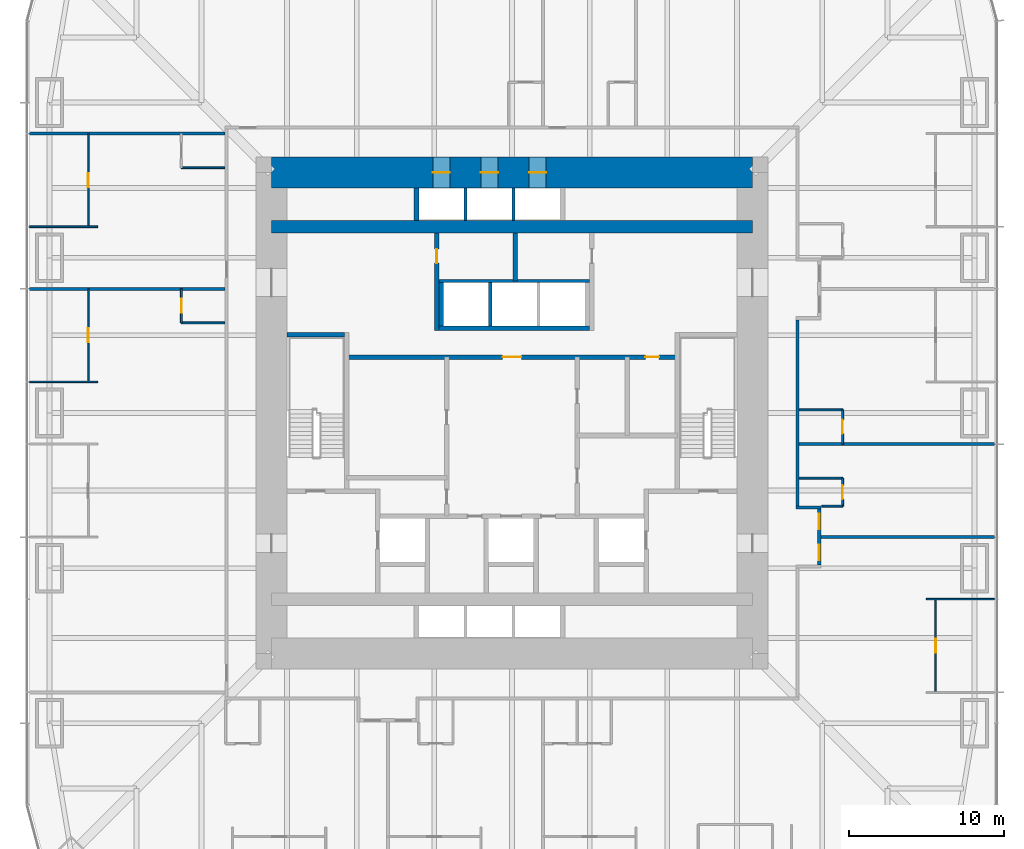
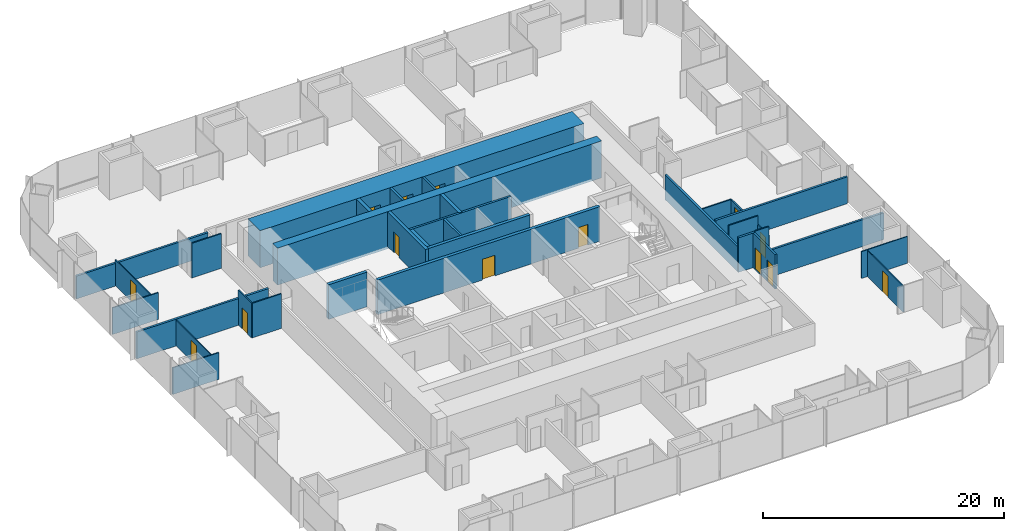
# One storey, part 14 of 17: 34 walls, 14 doors, 14 openings.
"""IFC4 building model written with IfcOpenShell, lengths in metres."""

from ifc_helpers import new_model, si_unit, direction, frame, frame_2d, origin, place, context, subcontext, project, spatial, rectangle, extrude, material, layer, layer_set, type_object, element, fill, save


model = new_model("IFC4")

# Units and contexts
model_context = context("Model", 3, precision=1e-05, world=origin(), true_north=direction((0.0, 1.0)))
body_context = subcontext(model_context, "Body", "Model", "MODEL_VIEW")
ifc_project = project(units=[si_unit("LENGTHUNIT", "METRE"), si_unit("AREAUNIT", "SQUARE_METRE"), si_unit("VOLUMEUNIT", "CUBIC_METRE"), si_unit("PLANEANGLEUNIT", "RADIAN"), si_unit("MASSUNIT", "GRAM", prefix="KILO")], contexts=[model_context])

# Site, building, storey
site_placement = place(None, origin())
site = spatial("IfcSite", under=ifc_project, at=site_placement, CompositionType="ELEMENT")
building_placement = place(site_placement, origin())
building = spatial("IfcBuilding", under=site, at=building_placement, Name="Khuree Lantern Residences", CompositionType="ELEMENT")
storey_placement = place(building_placement, frame((0.0, 0.0, 77.25)))
storey = spatial("IfcBuildingStorey", under=building, at=storey_placement, Name="L19", CompositionType="ELEMENT", Elevation=77.25)

# Wall, opening, door
ifc_material_1 = material(Name="Moisture-resistant gypsum board on steel studs", Category="steel")
ifc_layer_1 = layer(ifc_material_1, 0.125)
ifc_layer_set_1 = layer_set([ifc_layer_1], Name="BATHROOM WALL BTW125")
wall_type_1 = type_object("IfcWallType", Name="BATHROOM WALL BTW125", PredefinedType="PARTITIONING", material=ifc_layer_set_1)
wall_1_placement = place(storey_placement, frame((21.300048828125, -6.0, 0.0), z_axis=(0.0, 0.0, 1.0), x_axis=(0.0, 1.0, 0.0)))
wall_1 = element("IfcWall", 1, at=wall_1_placement, inside=storey, type_object=wall_type_1, Name="L19 BATHROOM WALL 01", PredefinedType="PARTITIONING", context=body_context, shape_type="SweptSolid", body=[
    extrude(rectangle(XDim=1.800048828125, YDim=0.125, at=frame_2d((0.89990234375, 0.0))), origin(), (0.0, 0.0, 1.0), 2.610107421875),
])
opening_1_placement = place(wall_1_placement, frame((0.449951171875, 0.0, 0.0)))
opening_1 = element("IfcOpeningElement", 2, at=opening_1_placement, cuts=wall_1, Name="Opening 19-023", PredefinedType="OPENING", context=body_context, shape_type="SweptSolid", body=[
    extrude(rectangle(XDim=0.89990234375, YDim=2.10009765625, at=frame_2d((0.449951171875, 1.050048828125))), frame((0.0, 0.072509765625, 0.0), z_axis=(0.0, -1.0, 0.0), x_axis=(1.0, 0.0, 0.0)), (0.0, 0.0, 1.0), 0.14501953125),
])
ifc_material_2 = material(Name="Timber door leaf in hardwood frame", Category="wood")
door_type_1 = type_object("IfcDoorType", Name="BATHROOM DOOR 900X2100", OperationType="SINGLE_SWING_LEFT", PredefinedType="DOOR", material=ifc_material_2)
door_1_placement = place(opening_1_placement, origin())
door_1 = element("IfcDoor", 3, at=door_1_placement, inside=storey, type_object=door_type_1, Name="Bathroom door 19-023", OperationType="SINGLE_SWING_LEFT", OverallHeight=2.10009765625, OverallWidth=0.89990234375, PredefinedType="DOOR", context=body_context, shape_type="SweptSolid", body=[
    extrude(rectangle(XDim=0.89990234375, YDim=2.10009765625, at=frame_2d((0.449951171875, 1.050048828125))), frame((0.0, 0.02490234375, 0.0), z_axis=(0.0, -1.0, 0.0), x_axis=(1.0, 0.0, 0.0)), (0.0, 0.0, 1.0), 0.050048828125),
])
fill(opening_1, door_1)

# Walls
wall_2_placement = place(storey_placement, frame((19.969970703125, -6.0, 0.0), z_axis=(0.0, 0.0, 1.0), x_axis=(1.0, 0.0, 0.0)))
element("IfcWall", 4, at=wall_2_placement, inside=storey, type_object=wall_type_1, Name="L19 BATHROOM WALL 01", PredefinedType="PARTITIONING", context=body_context, shape_type="SweptSolid", body=[
    extrude(rectangle(XDim=1.330078125, YDim=0.125, at=frame_2d((0.6650390625, 0.0))), origin(), (0.0, 0.0, 1.0), 3.5),
])
wall_3_placement = place(storey_placement, frame((18.5, -4.199951171875, 0.0), z_axis=(0.0, 0.0, 1.0), x_axis=(1.0, 0.0, 0.0)))
element("IfcWall", 5, at=wall_3_placement, inside=storey, type_object=wall_type_1, Name="L19 BATHROOM WALL 01", PredefinedType="PARTITIONING", context=body_context, shape_type="SweptSolid", body=[
    extrude(rectangle(XDim=2.800048828125, YDim=0.125, at=frame_2d((1.39990234375, 0.0))), origin(), (0.0, 0.0, 1.0), 3.5),
])

# Wall, opening, door
wall_4_placement = place(storey_placement, frame((21.300048828125, -2.0, 0.0), z_axis=(0.0, 0.0, 1.0), x_axis=(0.0, 1.0, 0.0)))
wall_4 = element("IfcWall", 6, at=wall_4_placement, inside=storey, type_object=wall_type_1, Name="L19 BATHROOM WALL 02", PredefinedType="PARTITIONING", context=body_context, shape_type="SweptSolid", body=[
    extrude(rectangle(XDim=2.199951171875, YDim=0.125, at=frame_2d((1.10009765625, 0.0))), origin(), (0.0, 0.0, 1.0), 2.491943359375),
])
opening_2_placement = place(wall_4_placement, frame((0.64990234375, 0.0, 0.0)))
opening_2 = element("IfcOpeningElement", 7, at=opening_2_placement, cuts=wall_4, Name="Opening 19-026", PredefinedType="OPENING", context=body_context, shape_type="SweptSolid", body=[
    extrude(rectangle(XDim=0.89990234375, YDim=2.10009765625, at=frame_2d((0.449951171875, 1.050048828125))), frame((0.0, 0.072509765625, 0.0), z_axis=(0.0, -1.0, 0.0), x_axis=(1.0, 0.0, 0.0)), (0.0, 0.0, 1.0), 0.14501953125),
])
door_2_placement = place(opening_2_placement, origin())
door_2 = element("IfcDoor", 8, at=door_2_placement, inside=storey, type_object=door_type_1, Name="Bathroom door 19-026", OperationType="SINGLE_SWING_LEFT", OverallHeight=2.10009765625, OverallWidth=0.89990234375, PredefinedType="DOOR", context=body_context, shape_type="SweptSolid", body=[
    extrude(rectangle(XDim=0.89990234375, YDim=2.10009765625, at=frame_2d((0.449951171875, 1.050048828125))), frame((0.0, 0.02490234375, 0.0), z_axis=(0.0, -1.0, 0.0), x_axis=(1.0, 0.0, 0.0)), (0.0, 0.0, 1.0), 0.050048828125),
])
fill(opening_2, door_2)

# Walls
wall_5_placement = place(storey_placement, frame((18.5, 0.199951171875, 0.0), z_axis=(0.0, 0.0, 1.0), x_axis=(1.0, 0.0, 0.0)))
element("IfcWall", 9, at=wall_5_placement, inside=storey, type_object=wall_type_1, Name="L19 BATHROOM WALL 02", PredefinedType="PARTITIONING", context=body_context, shape_type="SweptSolid", body=[
    extrude(rectangle(XDim=2.800048828125, YDim=0.125, at=frame_2d((1.39990234375, 0.0))), origin(), (0.0, 0.0, 1.0), 2.491943359375),
])
wall_6_placement = place(storey_placement, frame((-18.5, 15.800048828125, 0.0), z_axis=(0.0, 0.0, 1.0), x_axis=(-1.0, 0.0, 0.0)))
element("IfcWall", 10, at=wall_6_placement, inside=storey, type_object=wall_type_1, Name="L19 BATHROOM WALL 06", PredefinedType="PARTITIONING", context=body_context, shape_type="SweptSolid", body=[
    extrude(rectangle(XDim=2.800048828125, YDim=0.125, at=frame_2d((1.39990234375, 0.0))), origin(), (0.0, 0.0, 1.0), 3.5),
])

# Wall, opening, door
wall_7_placement = place(storey_placement, frame((-21.300048828125, 8.0, 0.0), z_axis=(0.0, 0.0, 1.0), x_axis=(0.0, -1.0, 0.0)))
wall_7 = element("IfcWall", 11, at=wall_7_placement, inside=storey, type_object=wall_type_1, Name="L19 BATHROOM WALL 07", PredefinedType="PARTITIONING", context=body_context, shape_type="SweptSolid", body=[
    extrude(rectangle(XDim=2.199951171875, YDim=0.125, at=frame_2d((1.10009765625, 0.0))), origin(), (0.0, 0.0, 1.0), 3.5),
])
opening_3_placement = place(wall_7_placement, frame((0.64990234375, 0.0, 0.0)))
opening_3 = element("IfcOpeningElement", 12, at=opening_3_placement, cuts=wall_7, Name="Opening 19-043", PredefinedType="OPENING", context=body_context, shape_type="SweptSolid", body=[
    extrude(rectangle(XDim=0.89990234375, YDim=2.10009765625, at=frame_2d((0.449951171875, 1.050048828125))), frame((0.0, 0.072509765625, 0.0), z_axis=(0.0, -1.0, 0.0), x_axis=(1.0, 0.0, 0.0)), (0.0, 0.0, 1.0), 0.14501953125),
])
door_3_placement = place(opening_3_placement, origin())
door_3 = element("IfcDoor", 13, at=door_3_placement, inside=storey, type_object=door_type_1, Name="Bathroom door 19-043", OperationType="SINGLE_SWING_LEFT", OverallHeight=2.10009765625, OverallWidth=0.89990234375, PredefinedType="DOOR", context=body_context, shape_type="SweptSolid", body=[
    extrude(rectangle(XDim=0.89990234375, YDim=2.10009765625, at=frame_2d((0.449951171875, 1.050048828125))), frame((0.0, 0.02490234375, 0.0), z_axis=(0.0, -1.0, 0.0), x_axis=(1.0, 0.0, 0.0)), (0.0, 0.0, 1.0), 0.050048828125),
])
fill(opening_3, door_3)

# Walls
wall_8_placement = place(storey_placement, frame((-18.5, 5.800048828125, 0.0), z_axis=(0.0, 0.0, 1.0), x_axis=(-1.0, 0.0, 0.0)))
element("IfcWall", 14, at=wall_8_placement, inside=storey, type_object=wall_type_1, Name="L19 BATHROOM WALL 07", PredefinedType="PARTITIONING", context=body_context, shape_type="SweptSolid", body=[
    extrude(rectangle(XDim=2.800048828125, YDim=0.125, at=frame_2d((1.39990234375, 0.0))), origin(), (0.0, 0.0, 1.0), 3.5),
])
ifc_material_3 = material(Name="Dense concrete blockwork", Category="masonry")
ifc_layer_2 = layer(ifc_material_3, 0.300048828125)
ifc_layer_set_2 = layer_set([ifc_layer_2], Name="CORE PARTITION WALL CPW300 EI 120")
wall_type_2 = type_object("IfcWallType", Name="CORE PARTITION WALL CPW300 EI 120", PredefinedType="PARTITIONING", material=ifc_layer_set_2)
wall_9_placement = place(storey_placement, frame((-4.699951171875, 5.449951171875, 0.0), z_axis=(0.0, 0.0, 1.0), x_axis=(1.0, 0.0, 0.0)))
element("IfcWall", 15, at=wall_9_placement, inside=storey, type_object=wall_type_2, Name="L19 CORE WALL PHS", PredefinedType="PARTITIONING", context=body_context, shape_type="SweptSolid", body=[
    extrude(rectangle(XDim=9.699951171875, YDim=0.300048828125, at=frame_2d((4.85009765625, 0.0))), origin(), (0.0, 0.0, 1.0), 3.5),
])
wall_10_placement = place(storey_placement, frame((-4.550048828125, 5.60009765625, 0.0), z_axis=(0.0, 0.0, 1.0), x_axis=(0.0, 1.0, 0.0)))
element("IfcWall", 16, at=wall_10_placement, inside=storey, type_object=wall_type_2, Name="L19 CORE WALL PHW", PredefinedType="PARTITIONING", context=body_context, shape_type="SweptSolid", body=[
    extrude(rectangle(XDim=2.7998046875, YDim=0.300048828125, at=frame_2d((1.39990234375, 0.0))), origin(), (0.0, 0.0, 1.0), 3.5),
])
wall_11_placement = place(storey_placement, frame((-6.14990234375, 12.39990234375, 0.0), z_axis=(0.0, 0.0, 1.0), x_axis=(0.0, 1.0, 0.0)))
element("IfcWall", 17, at=wall_11_placement, inside=storey, type_object=wall_type_2, Name="L19 CORE WALL PLW", PredefinedType="PARTITIONING", context=body_context, shape_type="SweptSolid", body=[
    extrude(rectangle(XDim=2.10009765625, YDim=0.300048828125, at=frame_2d((1.050048828125, 0.0))), origin(), (0.0, 0.0, 1.0), 3.5),
])

# Wall, openings, doors
wall_12_placement = place(storey_placement, frame((-10.64990234375, 3.60009765625, 0.0), z_axis=(0.0, 0.0, 1.0), x_axis=(1.0, 0.0, 0.0)))
wall_12 = element("IfcWall", 18, at=wall_12_placement, inside=storey, type_object=wall_type_2, Name="L19 CORE WALL LLS", PredefinedType="PARTITIONING", context=body_context, shape_type="SweptSolid", body=[
    extrude(rectangle(XDim=21.2998046875, YDim=0.300048828125, at=frame_2d((10.64990234375, 0.0))), origin(), (0.0, 0.0, 1.0), 3.5),
])
opening_4_placement = place(wall_12_placement, frame((10.050048828125, 0.0, 0.0)))
opening_4 = element("IfcOpeningElement", 19, at=opening_4_placement, cuts=wall_12, Name="Opening 19-013", PredefinedType="OPENING", context=body_context, shape_type="SweptSolid", body=[
    extrude(rectangle(XDim=1.199951171875, YDim=2.10009765625, at=frame_2d((0.60009765625, 1.050048828125))), frame((0.0, 0.16015625, 0.0), z_axis=(0.0, -1.0, 0.0), x_axis=(1.0, 0.0, 0.0)), (0.0, 0.0, 1.0), 0.320068359375),
])
opening_5_placement = place(wall_12_placement, frame((19.238037109375, 0.0, 0.0)))
opening_5 = element("IfcOpeningElement", 20, at=opening_5_placement, cuts=wall_12, Name="Opening 19-020", PredefinedType="OPENING", context=body_context, shape_type="SweptSolid", body=[
    extrude(rectangle(XDim=0.89990234375, YDim=2.10009765625, at=frame_2d((0.449951171875, 1.050048828125))), frame((0.0, 0.16015625, 0.0), z_axis=(0.0, -1.0, 0.0), x_axis=(1.0, 0.0, 0.0)), (0.0, 0.0, 1.0), 0.320068359375),
])
ifc_material_4 = material(Name="Steel door leaf in steel frame", Category="steel")
door_type_2 = type_object("IfcDoorType", Name="DOOR 1200X2100 EI 60", OperationType="SINGLE_SWING_LEFT", PredefinedType="DOOR", material=ifc_material_4)
door_4_placement = place(opening_4_placement, origin())
door_4 = element("IfcDoor", 21, at=door_4_placement, inside=storey, type_object=door_type_2, Name="Service lift lobby door 19-013", OperationType="SINGLE_SWING_LEFT", OverallHeight=2.10009765625, OverallWidth=1.199951171875, PredefinedType="DOOR", context=body_context, shape_type="SweptSolid", body=[
    extrude(rectangle(XDim=1.199951171875, YDim=2.10009765625, at=frame_2d((0.60009765625, 1.050048828125))), frame((0.0, 0.02490234375, 0.0), z_axis=(0.0, -1.0, 0.0), x_axis=(1.0, 0.0, 0.0)), (0.0, 0.0, 1.0), 0.050048828125),
])
fill(opening_4, door_4)
door_type_3 = type_object("IfcDoorType", Name="DOOR 900X2100 RIGHT HAND", OperationType="SINGLE_SWING_RIGHT", PredefinedType="DOOR", material=ifc_material_2)
door_5_placement = place(opening_5_placement, origin())
door_5 = element("IfcDoor", 22, at=door_5_placement, inside=storey, type_object=door_type_3, Name="Refuse holding room door 19-020", OperationType="SINGLE_SWING_RIGHT", OverallHeight=2.10009765625, OverallWidth=0.89990234375, PredefinedType="DOOR", context=body_context, shape_type="SweptSolid", body=[
    extrude(rectangle(XDim=0.89990234375, YDim=2.10009765625, at=frame_2d((0.449951171875, 1.050048828125))), frame((0.0, 0.02490234375, 0.0), z_axis=(0.0, -1.0, 0.0), x_axis=(1.0, 0.0, 0.0)), (0.0, 0.0, 1.0), 0.050048828125),
])
fill(opening_5, door_5)

# Wall, opening, door
wall_13_placement = place(storey_placement, frame((-4.85009765625, 5.300048828125, 0.0), z_axis=(0.0, 0.0, 1.0), x_axis=(0.0, 1.0, 0.0)))
wall_13 = element("IfcWall", 23, at=wall_13_placement, inside=storey, type_object=wall_type_2, Name="L19 CORE WALL NW", PredefinedType="PARTITIONING", context=body_context, shape_type="SweptSolid", body=[
    extrude(rectangle(XDim=6.300048828125, YDim=0.300048828125, at=frame_2d((3.14990234375, 0.0))), origin(), (0.0, 0.0, 1.0), 3.5),
])
opening_6_placement = place(wall_13_placement, frame((4.35009765625, 0.0, 0.0)))
opening_6 = element("IfcOpeningElement", 24, at=opening_6_placement, cuts=wall_13, Name="Opening 19-021", PredefinedType="OPENING", context=body_context, shape_type="SweptSolid", body=[
    extrude(rectangle(XDim=0.89990234375, YDim=2.10009765625, at=frame_2d((0.449951171875, 1.050048828125))), frame((0.0, 0.16015625, 0.0), z_axis=(0.0, -1.0, 0.0), x_axis=(1.0, 0.0, 0.0)), (0.0, 0.0, 1.0), 0.320068359375),
])
door_6_placement = place(opening_6_placement, origin())
door_6 = element("IfcDoor", 25, at=door_6_placement, inside=storey, type_object=door_type_3, Name="Housekeeping store door 19-021", OperationType="SINGLE_SWING_RIGHT", OverallHeight=2.10009765625, OverallWidth=0.89990234375, PredefinedType="DOOR", context=body_context, shape_type="SweptSolid", body=[
    extrude(rectangle(XDim=0.89990234375, YDim=2.10009765625, at=frame_2d((0.449951171875, 1.050048828125))), frame((0.0, 0.02490234375, 0.0), z_axis=(0.0, -1.0, 0.0), x_axis=(1.0, 0.0, 0.0)), (0.0, 0.0, 1.0), 0.050048828125),
])
fill(opening_6, door_6)

# Walls
wall_14_placement = place(storey_placement, frame((0.199951171875, 8.5, 0.0), z_axis=(0.0, 0.0, 1.0), x_axis=(0.0, 1.0, 0.0)))
element("IfcWall", 26, at=wall_14_placement, inside=storey, type_object=wall_type_2, Name="L19 CORE WALL NX", PredefinedType="PARTITIONING", context=body_context, shape_type="SweptSolid", body=[
    extrude(rectangle(XDim=3.10009765625, YDim=0.300048828125, at=frame_2d((1.550048828125, 0.0))), origin(), (0.0, 0.0, 1.0), 3.5),
])
ifc_material_5 = material(Name="Gypsum board on steel studs", Category="steel")
ifc_layer_3 = layer(ifc_material_5, 0.199951171875)
ifc_layer_set_3 = layer_set([ifc_layer_3], Name="CORRIDOR WALL CRW200 EI 60")
wall_type_3 = type_object("IfcWallType", Name="CORRIDOR WALL CRW200 EI 60", PredefinedType="PARTITIONING", material=ifc_layer_set_3)
wall_15_placement = place(storey_placement, frame((18.300048828125, -6.10009765625, 0.0), z_axis=(0.0, 0.0, 1.0), x_axis=(1.0, 0.0, 0.0)))
element("IfcWall", 27, at=wall_15_placement, inside=storey, type_object=wall_type_3, Name="L19 CORRIDOR ALCOVE WALL EAST", PredefinedType="PARTITIONING", context=body_context, shape_type="SweptSolid", body=[
    extrude(rectangle(XDim=1.599853515625, YDim=0.199951171875, at=frame_2d((0.7998046875, 0.0))), origin(), (0.0, 0.0, 1.0), 3.5),
])

# Wall, openings, doors
wall_16_placement = place(storey_placement, frame((19.800048828125, -9.800048828125, 0.0), z_axis=(0.0, 0.0, 1.0), x_axis=(0.0, 1.0, 0.0)))
wall_16 = element("IfcWall", 28, at=wall_16_placement, inside=storey, type_object=wall_type_3, Name="L19 CORRIDOR ALCOVE WALL EAST", PredefinedType="PARTITIONING", context=body_context, shape_type="SweptSolid", body=[
    extrude(rectangle(XDim=3.60009765625, YDim=0.199951171875, at=frame_2d((1.800048828125, 0.0))), origin(), (0.0, 0.0, 1.0), 3.5),
])
opening_7_placement = place(wall_16_placement, frame((2.300048828125, 0.0, 0.0)))
opening_7 = element("IfcOpeningElement", 29, at=opening_7_placement, cuts=wall_16, Name="Opening 19-024", PredefinedType="OPENING", context=body_context, shape_type="SweptSolid", body=[
    extrude(rectangle(XDim=1.0, YDim=2.199951171875, at=frame_2d((0.5, 1.10009765625))), frame((0.0, 0.10986328125, 0.0), z_axis=(0.0, -1.0, 0.0), x_axis=(1.0, 0.0, 0.0)), (0.0, 0.0, 1.0), 0.219970703125),
])
opening_8_placement = place(wall_16_placement, frame((0.300048828125, 0.0, 0.0)))
opening_8 = element("IfcOpeningElement", 30, at=opening_8_placement, cuts=wall_16, Name="Opening 19-057", PredefinedType="OPENING", context=body_context, shape_type="SweptSolid", body=[
    extrude(rectangle(XDim=1.0, YDim=2.199951171875, at=frame_2d((0.5, 1.10009765625))), frame((0.0, 0.10986328125, 0.0), z_axis=(0.0, -1.0, 0.0), x_axis=(1.0, 0.0, 0.0)), (0.0, 0.0, 1.0), 0.219970703125),
])
door_type_4 = type_object("IfcDoorType", Name="APARTMENT ENTRANCE DOOR 1000X2200 EI 30S", OperationType="SINGLE_SWING_LEFT", PredefinedType="DOOR", material=ifc_material_2)
door_7_placement = place(opening_8_placement, origin())
door_7 = element("IfcDoor", 31, at=door_7_placement, inside=storey, type_object=door_type_4, Name="Apartment 10 entrance door 19-057", OperationType="SINGLE_SWING_LEFT", OverallHeight=2.199951171875, OverallWidth=1.0, PredefinedType="DOOR", context=body_context, shape_type="SweptSolid", body=[
    extrude(rectangle(XDim=1.0, YDim=2.199951171875, at=frame_2d((0.5, 1.10009765625))), frame((0.0, 0.02490234375, 0.0), z_axis=(0.0, -1.0, 0.0), x_axis=(1.0, 0.0, 0.0)), (0.0, 0.0, 1.0), 0.050048828125),
])
fill(opening_8, door_7)
door_type_5 = type_object("IfcDoorType", Name="APARTMENT ENTRANCE DOOR 1000X2200 EI 30S RIGHT HAND", OperationType="SINGLE_SWING_RIGHT", PredefinedType="DOOR", material=ifc_material_2)
door_8_placement = place(opening_7_placement, origin())
door_8 = element("IfcDoor", 32, at=door_8_placement, inside=storey, type_object=door_type_5, Name="Apartment 01 entrance door 19-024", OperationType="SINGLE_SWING_RIGHT", OverallHeight=2.199951171875, OverallWidth=1.0, PredefinedType="DOOR", context=body_context, shape_type="SweptSolid", body=[
    extrude(rectangle(XDim=1.0, YDim=2.199951171875, at=frame_2d((0.5, 1.10009765625))), frame((0.0, 0.02490234375, 0.0), z_axis=(0.0, -1.0, 0.0), x_axis=(1.0, 0.0, 0.0)), (0.0, 0.0, 1.0), 0.050048828125),
])
fill(opening_7, door_8)

# Wall
wall_17_placement = place(storey_placement, frame((18.39990234375, -6.0, 0.0), z_axis=(0.0, 0.0, 1.0), x_axis=(0.0, 1.0, 0.0)))
element("IfcWall", 33, at=wall_17_placement, inside=storey, type_object=wall_type_3, Name="L19 CORRIDOR WALL EAST 2", PredefinedType="PARTITIONING", context=body_context, shape_type="SweptSolid", body=[
    extrude(rectangle(XDim=12.0, YDim=0.199951171875, at=frame_2d((6.0, 0.0))), origin(), (0.0, 0.0, 1.0), 2.491943359375),
])

# Wall, openings, doors
ifc_material_6 = material(Name="Concrete C70/85", Category="concrete")
ifc_layer_4 = layer(ifc_material_6, 2.0)
ifc_layer_set_4 = layer_set([ifc_layer_4], Name="CW2000-C70 CORE WALL C70 2000")
wall_type_4 = type_object("IfcWallType", Name="CW2000-C70 CORE WALL C70 2000", PredefinedType="SHEAR", material=ifc_layer_set_4)
wall_18_placement = place(storey_placement, frame((-15.5, 15.5, -0.25), z_axis=(0.0, 0.0, 1.0), x_axis=(1.0, 0.0, 0.0)))
wall_18 = element("IfcWall", 34, at=wall_18_placement, inside=storey, type_object=wall_type_4, Name="Core wall N", PredefinedType="SHEAR", context=body_context, shape_type="SweptSolid", body=[
    extrude(rectangle(XDim=31.0, YDim=2.0, at=frame_2d((15.5, 0.0))), origin(), (0.0, 0.0, 1.0), 3.75),
])
opening_9_placement = place(wall_18_placement, frame((10.39990234375, 0.0, 0.25)))
opening_9 = element("IfcOpeningElement", 35, at=opening_9_placement, cuts=wall_18, Name="Opening 19-009", PredefinedType="OPENING", context=body_context, shape_type="SweptSolid", body=[
    extrude(rectangle(XDim=1.10009765625, YDim=2.10009765625, at=frame_2d((0.550048828125, 1.050048828125))), frame((0.0, 1.010009765625, 0.0), z_axis=(0.0, -1.0, 0.0), x_axis=(1.0, 0.0, 0.0)), (0.0, 0.0, 1.0), 2.02001953125),
])
opening_10_placement = place(wall_18_placement, frame((13.5, 0.0, 0.25)))
opening_10 = element("IfcOpeningElement", 36, at=opening_10_placement, cuts=wall_18, Name="Opening 19-010", PredefinedType="OPENING", context=body_context, shape_type="SweptSolid", body=[
    extrude(rectangle(XDim=1.10009765625, YDim=2.10009765625, at=frame_2d((0.550048828125, 1.050048828125))), frame((0.0, 1.010009765625, 0.0), z_axis=(0.0, -1.0, 0.0), x_axis=(1.0, 0.0, 0.0)), (0.0, 0.0, 1.0), 2.02001953125),
])
opening_11_placement = place(wall_18_placement, frame((16.60009765625, 0.0, 0.25)))
opening_11 = element("IfcOpeningElement", 37, at=opening_11_placement, cuts=wall_18, Name="Opening 19-011", PredefinedType="OPENING", context=body_context, shape_type="SweptSolid", body=[
    extrude(rectangle(XDim=1.10009765625, YDim=2.10009765625, at=frame_2d((0.550048828125, 1.050048828125))), frame((0.0, 1.010009765625, 0.0), z_axis=(0.0, -1.0, 0.0), x_axis=(1.0, 0.0, 0.0)), (0.0, 0.0, 1.0), 2.02001953125),
])
ifc_material_7 = material(Name="Stainless steel lift landing door", Category="steel")
door_type_6 = type_object("IfcDoorType", Name="LIFT LANDING DOOR 1100X2100 E 60", OperationType="DOUBLE_DOOR_SLIDING", PredefinedType="DOOR", material=ifc_material_7)
door_9_placement = place(opening_9_placement, origin())
door_9 = element("IfcDoor", 38, at=door_9_placement, inside=storey, type_object=door_type_6, Name="Landing door PL1 19-009", OperationType="DOUBLE_DOOR_SLIDING", OverallHeight=2.10009765625, OverallWidth=1.10009765625, PredefinedType="DOOR", context=body_context, shape_type="SweptSolid", body=[
    extrude(rectangle(XDim=1.10009765625, YDim=2.10009765625, at=frame_2d((0.550048828125, 1.050048828125))), frame((0.0, 0.02490234375, 0.0), z_axis=(0.0, -1.0, 0.0), x_axis=(1.0, 0.0, 0.0)), (0.0, 0.0, 1.0), 0.050048828125),
])
fill(opening_9, door_9)
door_10_placement = place(opening_10_placement, origin())
door_10 = element("IfcDoor", 39, at=door_10_placement, inside=storey, type_object=door_type_6, Name="Landing door PL2 19-010", OperationType="DOUBLE_DOOR_SLIDING", OverallHeight=2.10009765625, OverallWidth=1.10009765625, PredefinedType="DOOR", context=body_context, shape_type="SweptSolid", body=[
    extrude(rectangle(XDim=1.10009765625, YDim=2.10009765625, at=frame_2d((0.550048828125, 1.050048828125))), frame((0.0, 0.02490234375, 0.0), z_axis=(0.0, -1.0, 0.0), x_axis=(1.0, 0.0, 0.0)), (0.0, 0.0, 1.0), 0.050048828125),
])
fill(opening_10, door_10)
door_11_placement = place(opening_11_placement, origin())
door_11 = element("IfcDoor", 40, at=door_11_placement, inside=storey, type_object=door_type_6, Name="Landing door PL3 19-011", OperationType="DOUBLE_DOOR_SLIDING", OverallHeight=2.10009765625, OverallWidth=1.10009765625, PredefinedType="DOOR", context=body_context, shape_type="SweptSolid", body=[
    extrude(rectangle(XDim=1.10009765625, YDim=2.10009765625, at=frame_2d((0.550048828125, 1.050048828125))), frame((0.0, 0.02490234375, 0.0), z_axis=(0.0, -1.0, 0.0), x_axis=(1.0, 0.0, 0.0)), (0.0, 0.0, 1.0), 0.050048828125),
])
fill(opening_11, door_11)

# Walls
ifc_layer_5 = layer(ifc_material_5, 0.199951171875)
ifc_layer_set_5 = layer_set([ifc_layer_5], Name="DEMISING WALL DMW200 EI 90")
wall_type_5 = type_object("IfcWallType", Name="DEMISING WALL DMW200 EI 90", PredefinedType="PARTITIONING", material=ifc_layer_set_5)
wall_19_placement = place(storey_placement, frame((19.89990234375, -8.0, 0.0), z_axis=(0.0, 0.0, 1.0), x_axis=(1.0, 0.0, 0.0)))
element("IfcWall", 41, at=wall_19_placement, inside=storey, type_object=wall_type_5, Name="L19 DEMISING WALL 01", PredefinedType="PARTITIONING", context=body_context, shape_type="SweptSolid", body=[
    extrude(rectangle(XDim=11.2001953125, YDim=0.199951171875, at=frame_2d((5.60009765625, 0.0))), origin(), (0.0, 0.0, 1.0), 2.7099609375),
])
wall_20_placement = place(storey_placement, frame((18.5, -2.0, 0.0), z_axis=(0.0, 0.0, 1.0), x_axis=(1.0, 0.0, 0.0)))
element("IfcWall", 42, at=wall_20_placement, inside=storey, type_object=wall_type_5, Name="L19 DEMISING WALL 02", PredefinedType="PARTITIONING", context=body_context, shape_type="SweptSolid", body=[
    extrude(rectangle(XDim=12.60009765625, YDim=0.199951171875, at=frame_2d((6.300048828125, 0.0))), origin(), (0.0, 0.0, 1.0), 2.7099609375),
])
wall_21_placement = place(storey_placement, frame((-18.5, 18.0, 0.0), z_axis=(0.0, 0.0, 1.0), x_axis=(-1.0, 0.0, 0.0)))
element("IfcWall", 43, at=wall_21_placement, inside=storey, type_object=wall_type_5, Name="L19 DEMISING WALL 06", PredefinedType="PARTITIONING", context=body_context, shape_type="SweptSolid", body=[
    extrude(rectangle(XDim=12.60009765625, YDim=0.199951171875, at=frame_2d((6.300048828125, 0.0))), origin(), (0.0, 0.0, 1.0), 2.300048828125),
])
wall_22_placement = place(storey_placement, frame((-18.5, 8.0, 0.0), z_axis=(0.0, 0.0, 1.0), x_axis=(-1.0, 0.0, 0.0)))
element("IfcWall", 44, at=wall_22_placement, inside=storey, type_object=wall_type_5, Name="L19 DEMISING WALL 07", PredefinedType="PARTITIONING", context=body_context, shape_type="SweptSolid", body=[
    extrude(rectangle(XDim=12.60009765625, YDim=0.199951171875, at=frame_2d((6.300048828125, 0.0))), origin(), (0.0, 0.0, 1.0), 2.7099609375),
])
ifc_layer_6 = layer(ifc_material_5, 0.10009765625)
ifc_layer_set_6 = layer_set([ifc_layer_6], Name="PARTITION PT100")
wall_type_6 = type_object("IfcWallType", Name="PARTITION PT100", PredefinedType="PARTITIONING", material=ifc_layer_set_6)
for number, where, z_axis, x_axis, name in (
    (45, (-26.699951171875, 12.0, 0.0), (0.0, 0.0, 1.0), (-1.0, 0.0, 0.0), "L19 PARTITION 06"),
    (46, (-26.699951171875, 2.0, 0.0), (0.0, 0.0, 1.0), (-1.0, 0.0, 0.0), "L19 PARTITION 07"),
    (47, (26.699951171875, -12.0, 0.0), (0.0, 0.0, 1.0), (1.0, 0.0, 0.0), "L19 PARTITION 10"),
):
    element("IfcWall", number, at=place(storey_placement, frame(where, z_axis=z_axis, x_axis=x_axis)), inside=storey, type_object=wall_type_6, Name=name, PredefinedType="PARTITIONING", context=body_context, shape_type="SweptSolid", body=[
        extrude(rectangle(XDim=4.400146484375, YDim=0.10009765625, at=frame_2d((2.2001953125, 0.0))), origin(), (0.0, 0.0, 1.0), 2.7099609375),
    ])

# Wall, opening, door
wall_23_placement = place(storey_placement, frame((-27.300048828125, 18.0, 0.0), z_axis=(0.0, 0.0, 1.0), x_axis=(0.0, -1.0, 0.0)))
wall_23 = element("IfcWall", 48, at=wall_23_placement, inside=storey, type_object=wall_type_6, Name="L19 PARTITION 06", PredefinedType="PARTITIONING", context=body_context, shape_type="SweptSolid", body=[
    extrude(rectangle(XDim=6.0, YDim=0.10009765625, at=frame_2d((3.0, 0.0))), origin(), (0.0, 0.0, 1.0), 2.610107421875),
])
opening_12_placement = place(wall_23_placement, frame((2.550048828125, 0.0, 0.0)))
opening_12 = element("IfcOpeningElement", 49, at=opening_12_placement, cuts=wall_23, Name="Opening 19-038", PredefinedType="OPENING", context=body_context, shape_type="SweptSolid", body=[
    extrude(rectangle(XDim=0.89990234375, YDim=2.10009765625, at=frame_2d((0.449951171875, 1.050048828125))), frame((0.0, 0.06005859375, 0.0), z_axis=(0.0, -1.0, 0.0), x_axis=(1.0, 0.0, 0.0)), (0.0, 0.0, 1.0), 0.1201171875),
])
door_type_7 = type_object("IfcDoorType", Name="BEDROOM DOOR 900X2100", OperationType="SINGLE_SWING_LEFT", PredefinedType="DOOR", material=ifc_material_2)
door_12_placement = place(opening_12_placement, origin())
door_12 = element("IfcDoor", 50, at=door_12_placement, inside=storey, type_object=door_type_7, Name="Bedroom door 19-038", OperationType="SINGLE_SWING_LEFT", OverallHeight=2.10009765625, OverallWidth=0.89990234375, PredefinedType="DOOR", context=body_context, shape_type="SweptSolid", body=[
    extrude(rectangle(XDim=0.89990234375, YDim=2.10009765625, at=frame_2d((0.449951171875, 1.050048828125))), frame((0.0, 0.02490234375, 0.0), z_axis=(0.0, -1.0, 0.0), x_axis=(1.0, 0.0, 0.0)), (0.0, 0.0, 1.0), 0.050048828125),
])
fill(opening_12, door_12)

wall_24_placement = place(storey_placement, frame((-27.300048828125, 8.0, 0.0), z_axis=(0.0, 0.0, 1.0), x_axis=(0.0, -1.0, 0.0)))
wall_24 = element("IfcWall", 51, at=wall_24_placement, inside=storey, type_object=wall_type_6, Name="L19 PARTITION 07", PredefinedType="PARTITIONING", context=body_context, shape_type="SweptSolid", body=[
    extrude(rectangle(XDim=6.0, YDim=0.10009765625, at=frame_2d((3.0, 0.0))), origin(), (0.0, 0.0, 1.0), 2.610107421875),
])
opening_13_placement = place(wall_24_placement, frame((2.550048828125, 0.0, 0.0)))
opening_13 = element("IfcOpeningElement", 52, at=opening_13_placement, cuts=wall_24, Name="Opening 19-041", PredefinedType="OPENING", context=body_context, shape_type="SweptSolid", body=[
    extrude(rectangle(XDim=0.89990234375, YDim=2.10009765625, at=frame_2d((0.449951171875, 1.050048828125))), frame((0.0, 0.06005859375, 0.0), z_axis=(0.0, -1.0, 0.0), x_axis=(1.0, 0.0, 0.0)), (0.0, 0.0, 1.0), 0.1201171875),
])
door_13_placement = place(opening_13_placement, origin())
door_13 = element("IfcDoor", 53, at=door_13_placement, inside=storey, type_object=door_type_7, Name="Bedroom door 19-041", OperationType="SINGLE_SWING_LEFT", OverallHeight=2.10009765625, OverallWidth=0.89990234375, PredefinedType="DOOR", context=body_context, shape_type="SweptSolid", body=[
    extrude(rectangle(XDim=0.89990234375, YDim=2.10009765625, at=frame_2d((0.449951171875, 1.050048828125))), frame((0.0, 0.02490234375, 0.0), z_axis=(0.0, -1.0, 0.0), x_axis=(1.0, 0.0, 0.0)), (0.0, 0.0, 1.0), 0.050048828125),
])
fill(opening_13, door_13)

wall_25_placement = place(storey_placement, frame((27.300048828125, -18.0, 0.0), z_axis=(0.0, 0.0, 1.0), x_axis=(0.0, 1.0, 0.0)))
wall_25 = element("IfcWall", 54, at=wall_25_placement, inside=storey, type_object=wall_type_6, Name="L19 PARTITION 10", PredefinedType="PARTITIONING", context=body_context, shape_type="SweptSolid", body=[
    extrude(rectangle(XDim=6.0, YDim=0.10009765625, at=frame_2d((3.0, 0.0))), origin(), (0.0, 0.0, 1.0), 2.610107421875),
])
opening_14_placement = place(wall_25_placement, frame((2.550048828125, 0.0, 0.0)))
opening_14 = element("IfcOpeningElement", 55, at=opening_14_placement, cuts=wall_25, Name="Opening 19-054", PredefinedType="OPENING", context=body_context, shape_type="SweptSolid", body=[
    extrude(rectangle(XDim=0.89990234375, YDim=2.10009765625, at=frame_2d((0.449951171875, 1.050048828125))), frame((0.0, 0.06005859375, 0.0), z_axis=(0.0, -1.0, 0.0), x_axis=(1.0, 0.0, 0.0)), (0.0, 0.0, 1.0), 0.1201171875),
])
door_14_placement = place(opening_14_placement, origin())
door_14 = element("IfcDoor", 56, at=door_14_placement, inside=storey, type_object=door_type_7, Name="Bedroom door 19-054", OperationType="SINGLE_SWING_LEFT", OverallHeight=2.10009765625, OverallWidth=0.89990234375, PredefinedType="DOOR", context=body_context, shape_type="SweptSolid", body=[
    extrude(rectangle(XDim=0.89990234375, YDim=2.10009765625, at=frame_2d((0.449951171875, 1.050048828125))), frame((0.0, 0.02490234375, 0.0), z_axis=(0.0, -1.0, 0.0), x_axis=(1.0, 0.0, 0.0)), (0.0, 0.0, 1.0), 0.050048828125),
])
fill(opening_14, door_14)

# Walls
ifc_layer_7 = layer(ifc_material_3, 0.199951171875)
ifc_layer_set_7 = layer_set([ifc_layer_7], Name="SHAFT WALL SHW200 EI 120")
wall_type_7 = type_object("IfcWallType", Name="SHAFT WALL SHW200 EI 120", PredefinedType="PARTITIONING", material=ifc_layer_set_7)
wall_26_placement = place(storey_placement, frame((-4.699951171875, 8.5, 0.0), z_axis=(0.0, 0.0, 1.0), x_axis=(1.0, 0.0, 0.0)))
element("IfcWall", 57, at=wall_26_placement, inside=storey, type_object=wall_type_7, Name="L19 CORE WALL PHN", PredefinedType="PARTITIONING", context=body_context, shape_type="SweptSolid", body=[
    extrude(rectangle(XDim=9.699951171875, YDim=0.199951171875, at=frame_2d((4.85009765625, 0.0))), origin(), (0.0, 0.0, 1.0), 3.5),
])
wall_27_placement = place(storey_placement, frame((-1.39990234375, 5.60009765625, 0.0), z_axis=(0.0, 0.0, 1.0), x_axis=(0.0, 1.0, 0.0)))
element("IfcWall", 58, at=wall_27_placement, inside=storey, type_object=wall_type_7, Name="L19 CORE WALL PHD1", PredefinedType="PARTITIONING", context=body_context, shape_type="SweptSolid", body=[
    extrude(rectangle(XDim=2.7998046875, YDim=0.199951171875, at=frame_2d((1.39990234375, 0.0))), origin(), (0.0, 0.0, 1.0), 3.5),
])
for number, where, z_axis, x_axis, name in (
    (59, (-3.0, 12.39990234375, 0.0), (0.0, 0.0, 1.0), (0.0, 1.0, 0.0), "L19 CORE WALL PLD1"),
    (60, (0.10009765625, 12.39990234375, 0.0), (0.0, 0.0, 1.0), (0.0, 1.0, 0.0), "L19 CORE WALL PLD2"),
):
    element("IfcWall", number, at=place(storey_placement, frame(where, z_axis=z_axis, x_axis=x_axis)), inside=storey, type_object=wall_type_7, Name=name, PredefinedType="PARTITIONING", context=body_context, shape_type="SweptSolid", body=[
        extrude(rectangle(XDim=2.10009765625, YDim=0.199951171875, at=frame_2d((1.050048828125, 0.0))), origin(), (0.0, 0.0, 1.0), 3.5),
    ])
ifc_layer_8 = layer(ifc_material_6, 0.800048828125)
ifc_layer_set_8 = layer_set([ifc_layer_8], Name="SP800-C70 CORE SPINE WALL C70 800")
wall_type_8 = type_object("IfcWallType", Name="SP800-C70 CORE SPINE WALL C70 800", PredefinedType="SHEAR", material=ifc_layer_set_8)
wall_28_placement = place(storey_placement, frame((-15.5, 12.0, -0.25), z_axis=(0.0, 0.0, 1.0), x_axis=(1.0, 0.0, 0.0)))
element("IfcWall", 61, at=wall_28_placement, inside=storey, type_object=wall_type_8, Name="Core wall SPN", PredefinedType="SHEAR", context=body_context, shape_type="SweptSolid", body=[
    extrude(rectangle(XDim=31.0, YDim=0.800048828125, at=frame_2d((15.5, 0.0))), origin(), (0.0, 0.0, 1.0), 3.75),
])
ifc_material_8 = material(Name="Concrete C50/60", Category="concrete")
ifc_layer_9 = layer(ifc_material_8, 0.300048828125)
ifc_layer_set_9 = layer_set([ifc_layer_9], Name="STAIR WALL SRW300 C50/60 REI 240")
wall_type_9 = type_object("IfcWallType", Name="STAIR WALL SRW300 C50/60 REI 240", PredefinedType="SOLIDWALL", material=ifc_layer_set_9)
wall_29_placement = place(storey_placement, frame((-14.5, 5.050048828125, 0.0), z_axis=(0.0, 0.0, 1.0), x_axis=(1.0, 0.0, 0.0)))
element("IfcWall", 62, at=wall_29_placement, inside=storey, type_object=wall_type_9, Name="L19 STAIR WALL ST1N", PredefinedType="SOLIDWALL", context=body_context, shape_type="SweptSolid", body=[
    extrude(rectangle(XDim=3.699951171875, YDim=0.300048828125, at=frame_2d((1.85009765625, 0.0))), origin(), (0.0, 0.0, 1.0), 3.5),
])

save(model, "model.ifc")
